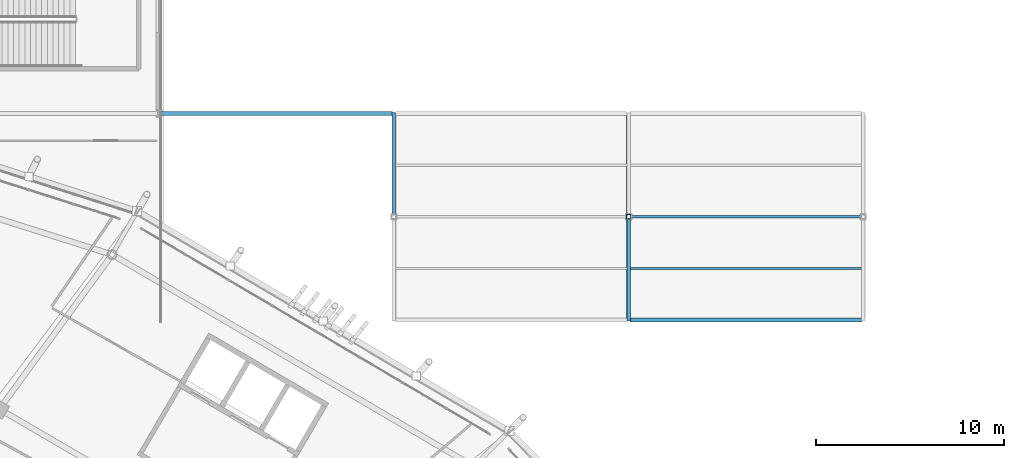
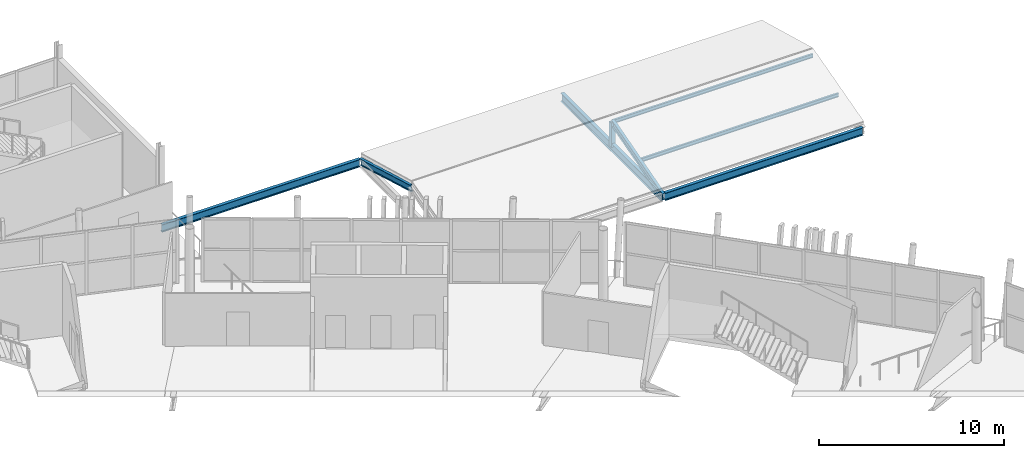
# One storey, part 86 of 179: 5 members, 3 beams.
"""IFC4 building model written with IfcOpenShell, lengths in metres."""

from ifc_helpers import new_model, si_unit, direction, frame, origin, origin_2d, place, context, subcontext, project, spatial, hollow_rectangle, i_section, extrude, material, material_profile, profile_set, type_object, element, save


model = new_model("IFC4")

# Units and contexts
model_context = context("Model", 3, precision=1e-05, world=origin(), true_north=direction((0.0, 1.0)))
body_context = subcontext(model_context, "Body", "Model", "MODEL_VIEW")
ifc_project = project(units=[si_unit("LENGTHUNIT", "METRE"), si_unit("AREAUNIT", "SQUARE_METRE"), si_unit("VOLUMEUNIT", "CUBIC_METRE"), si_unit("PLANEANGLEUNIT", "RADIAN"), si_unit("MASSUNIT", "GRAM", prefix="KILO")], contexts=[model_context])

# Site, building, storey
site_placement = place(None, origin())
site = spatial("IfcSite", under=ifc_project, at=site_placement, CompositionType="ELEMENT")
building_placement = place(site_placement, origin())
building = spatial("IfcBuilding", under=site, at=building_placement, Name="Zlatoyarsky Gate Stadium", CompositionType="ELEMENT")
storey_placement = place(building_placement, frame((0.0, 0.0, 10.60009765625)))
storey = spatial("IfcBuildingStorey", under=building, at=storey_placement, Name="L02", CompositionType="ELEMENT", Elevation=10.60009765625)

# Beams
ifc_material = material(Name="Steel S355", Category="steel")
ifc_material_profile_1 = material_profile(ifc_material, i_section(OverallWidth=0.199951171875, OverallDepth=0.5, WebThickness=0.01025390625, FlangeThickness=0.01611328125, FilletRadius=0.02099609375, at=origin_2d()), Name="IPE 500")
ifc_profile_set_1 = profile_set([ifc_material_profile_1], Name="Steel S355")
beam_type_1 = type_object("IfcBeamType", Name="STEEL FLOOR BEAM IPE 500", PredefinedType="BEAM", material=ifc_profile_set_1)
for number, where, z_axis, x_axis, name in (
    (1, (160.080078125, 149.0, -0.530029296875), (1.0, 0.0, 0.0), (0.0, 1.0, 0.0), "Beam B-IPE500 BM-L02-WGX-14-P"),
    (2, (185.080078125, 138.0, -0.530029296875), (1.0, 0.0, 0.0), (0.0, 1.0, 0.0), "Beam B-IPE500 BM-L02-WGX-16-N"),
):
    element("IfcBeam", number, at=place(storey_placement, frame(where, z_axis=z_axis, x_axis=x_axis)), inside=storey, type_object=beam_type_1, Name=name, PredefinedType="BEAM", context=body_context, shape_type="SweptSolid", body=[
        extrude(i_section(OverallWidth=0.199951171875, OverallDepth=0.5, WebThickness=0.01025390625, FlangeThickness=0.01611328125, FilletRadius=0.02099609375, at=origin_2d()), origin(), (0.0, 0.0, 1.0), 12.33984375),
    ])
ifc_material_profile_2 = material_profile(ifc_material, i_section(OverallWidth=0.2099609375, OverallDepth=0.550048828125, WebThickness=0.010986328125, FlangeThickness=0.01708984375, FilletRadius=0.02392578125, at=origin_2d()), Name="IPE 550")
ifc_profile_set_2 = profile_set([ifc_material_profile_2], Name="Steel S355")
beam_type_2 = type_object("IfcBeamType", Name="STEEL FLOOR BEAM IPE 550", PredefinedType="BEAM", material=ifc_profile_set_2)
beam_placement = place(storey_placement, frame((185.0, 138.080078125, -0.55517578125), z_axis=(0.0, 1.0, 0.0), x_axis=(-1.0, 0.0, 0.0)))
element("IfcBeam", 3, at=beam_placement, inside=storey, type_object=beam_type_2, Name="Beam B-IPE550 BM-L02-WGY-16-N", PredefinedType="BEAM", context=body_context, shape_type="SweptSolid", body=[
    extrude(i_section(OverallWidth=0.2099609375, OverallDepth=0.550048828125, WebThickness=0.010986328125, FlangeThickness=0.01708984375, FilletRadius=0.02392578125, at=origin_2d()), origin(), (0.0, 0.0, 1.0), 10.83984375),
])

# Members
ifc_material_profile_3 = material_profile(ifc_material, i_section(OverallWidth=0.1201171875, OverallDepth=0.239990234375, WebThickness=0.006103515625, FlangeThickness=0.009765625, FilletRadius=0.014892578125, at=origin_2d()), Name="IPE 240")
ifc_profile_set_3 = profile_set([ifc_material_profile_3], Name="Steel S355")
member_type_1 = type_object("IfcMemberType", Name="STEEL PAVILION ROOF PURLIN IPE 240", PredefinedType="PURLIN", material=ifc_profile_set_3)
for number, where, z_axis, x_axis, name in (
    (4, (185.0, 143.5, 1.06982421875), (1.0, 0.0, 0.0), (0.0, 1.0, 0.0), "V6_NE ridge purlin 2"),
    (5, (185.0, 140.75, 0.14501953125), (1.0, 0.0, 0.0), (0.0, 1.0, 0.0), "V6_NE roof purlin 2S"),
):
    element("IfcMember", number, at=place(storey_placement, frame(where, z_axis=z_axis, x_axis=x_axis)), inside=storey, type_object=member_type_1, Name=name, PredefinedType="PURLIN", context=body_context, shape_type="SweptSolid", body=[
        extrude(i_section(OverallWidth=0.1201171875, OverallDepth=0.239990234375, WebThickness=0.006103515625, FlangeThickness=0.009765625, FilletRadius=0.014892578125, at=origin_2d()), origin(), (0.0, 0.0, 1.0), 12.5),
    ])
ifc_material_profile_4 = material_profile(ifc_material, i_section(OverallWidth=0.179931640625, OverallDepth=0.39990234375, WebThickness=0.008544921875, FlangeThickness=0.013427734375, FilletRadius=0.02099609375, at=origin_2d()), Name="IPE 400")
ifc_profile_set_4 = profile_set([ifc_material_profile_4], Name="Steel S355")
member_type_2 = type_object("IfcMemberType", Name="STEEL PAVILION ROOF RAFTER IPE 400", PredefinedType="RAFTER", material=ifc_profile_set_4)
for number, where, z_axis, x_axis, name in (
    (6, (172.5, 149.0, -0.5), (0.0, -0.961598006641, 0.274461789005), (1.0, 0.0, 0.0), "V6_NE roof rafter 1B"),
    (7, (185.0, 138.0, -0.5), (0.0, 0.961598006641, 0.274461789005), (-1.0, 0.0, 0.0), "V6_NE roof rafter 2A"),
):
    element("IfcMember", number, at=place(storey_placement, frame(where, z_axis=z_axis, x_axis=x_axis)), inside=storey, type_object=member_type_2, Name=name, PredefinedType="RAFTER", context=body_context, shape_type="SweptSolid", body=[
        extrude(i_section(OverallWidth=0.179931640625, OverallDepth=0.39990234375, WebThickness=0.008544921875, FlangeThickness=0.013427734375, FilletRadius=0.02099609375, at=origin_2d()), origin(), (0.0, 0.0, 1.0), 5.7197265625),
    ])
ifc_material_profile_5 = material_profile(ifc_material, hollow_rectangle(XDim=0.25, YDim=0.25, WallThickness=0.01611328125, at=origin_2d()), Name="SHS 250X250X16")
ifc_profile_set_5 = profile_set([ifc_material_profile_5], Name="Steel S355")
member_type_3 = type_object("IfcMemberType", Name="STEEL PAVILION TRUSS STRUT SHS 250X250X16", PredefinedType="STRUT", material=ifc_profile_set_5)
member_placement = place(storey_placement, frame((185.0, 143.5, -0.530029296875), z_axis=(0.0, 0.0, 1.0), x_axis=(1.0, 0.0, 0.0)))
element("IfcMember", 8, at=member_placement, inside=storey, type_object=member_type_3, Name="V6_NE king post strut 2", PredefinedType="STRUT", context=body_context, shape_type="SweptSolid", body=[
    extrude(hollow_rectangle(XDim=0.25, YDim=0.25, WallThickness=0.01611328125, at=origin_2d()), origin(), (0.0, 0.0, 1.0), 1.599853515625),
])

save(model, "model.ifc")
